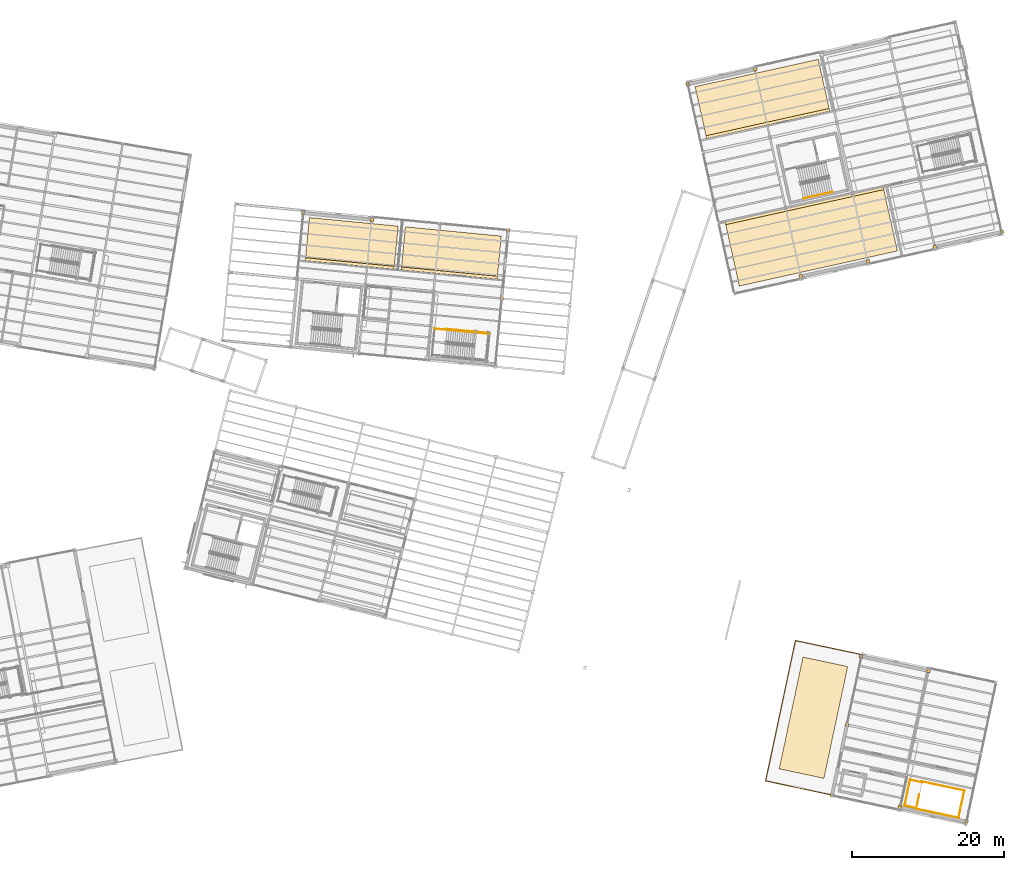
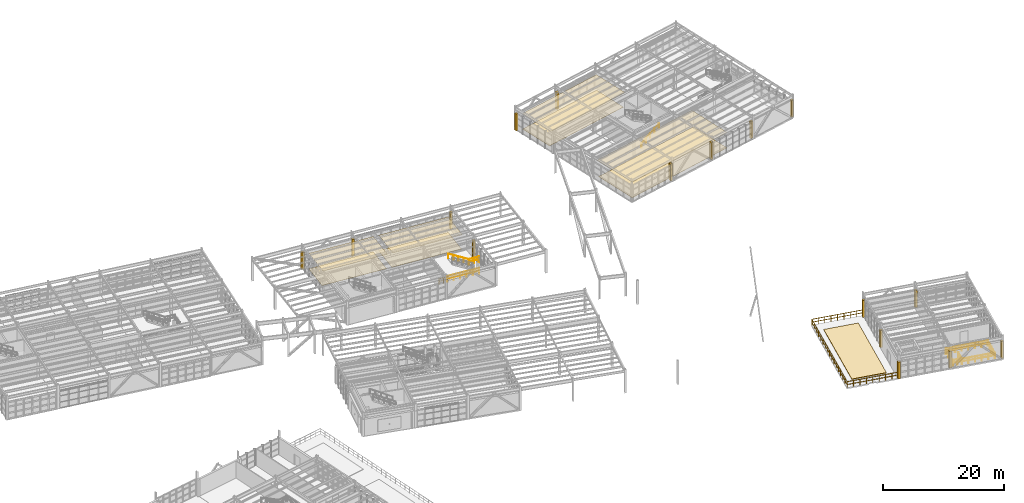
# One storey, part 108 of 109: 25 coverings, 13 railings.
"""IFC4 building model written with IfcOpenShell, lengths in metres."""

import ifcopenshell
import ifcopenshell.guid

model = None  # the IFC model being written
_history = None  # IfcOwnerHistory: only IFC2X3 demands one
_inside = {}  # id of a spatial element -> (the spatial element, [elements in it])
_under = {}  # id of a project, library or spatial element -> (it, [spatial elements below it])
_declared = {}  # id of a project -> (the project, [libraries it declares])
_typed = {}  # id of a type object -> (the type object, [elements of that type])
_made_of = {}  # id of a material, layer set ... -> (it, [elements and type objects made of it])


def new_model(schema):
    """Start an empty IFC model of exactly this schema.

    Asked for "IFC4X3", IfcOpenShell would pick the latest addendum, in which some entities
    have other attributes; the version numbers below select the first issue.
    IFC2X3 requires an IfcOwnerHistory on every rooted entity: one is made here for all.
    """
    global model, _history
    if schema == "IFC4X3":
        model = ifcopenshell.file(schema_version=(4, 3, 0, 0))
    else:
        model = ifcopenshell.file(schema=schema)
    _inside.clear()
    _under.clear()
    _declared.clear()
    _typed.clear()
    _made_of.clear()
    _history = None
    if model.schema == "IFC2X3":
        org = make("IfcOrganization", Name="unknown")
        user = make(
            "IfcPersonAndOrganization",
            ThePerson=make("IfcPerson", FamilyName="unknown"),
            TheOrganization=org,
        )
        app = make(
            "IfcApplication",
            ApplicationDeveloper=org,
            Version="unknown",
            ApplicationFullName="unknown",
            ApplicationIdentifier="unknown",
        )
        _history = make(
            "IfcOwnerHistory",
            OwningUser=user,
            OwningApplication=app,
            ChangeAction="ADDED",
            CreationDate=0,
        )
    return model


def make(cls, **values):
    """One entity of the class cls with the attributes given. An attribute that is None is left unset."""
    return model.create_entity(
        cls, **{name: value for name, value in values.items() if value is not None}
    )


def rooted(cls, **values):
    """An entity with a GlobalId (a new one), such as an element, a storey or a relation."""
    return make(cls, GlobalId=ifcopenshell.guid.new(), OwnerHistory=_history, **values)


def si_unit(unit_type, name, prefix=None):
    """IfcSIUnit, for example si_unit("LENGTHUNIT", "METRE", prefix="MILLI")."""
    return make("IfcSIUnit", UnitType=unit_type, Prefix=prefix, Name=name)


def assignment(units):
    """IfcUnitAssignment: the units of a project."""
    return None if units is None else make("IfcUnitAssignment", Units=units)


def point(xyz):
    """IfcCartesianPoint."""
    return None if xyz is None else make("IfcCartesianPoint", Coordinates=xyz)


def direction(xyz):
    """IfcDirection."""
    return None if xyz is None else make("IfcDirection", DirectionRatios=xyz)


def frame(location, z_axis=None, x_axis=None):
    """IfcAxis2Placement3D, a coordinate frame: its origin and axes. An axis left out is left unset."""
    return make(
        "IfcAxis2Placement3D",
        Location=point(location),
        Axis=direction(z_axis),
        RefDirection=direction(x_axis),
    )


def frame_2d(location, x_axis=None):
    """IfcAxis2Placement2D, a coordinate frame in the plane: its origin and x axis."""
    return make(
        "IfcAxis2Placement2D", Location=point(location), RefDirection=direction(x_axis)
    )


def origin():
    """The frame at (0, 0, 0) with its axes left unset."""
    return frame((0.0, 0.0, 0.0))


def origin_2d():
    """The frame at (0, 0) in the plane with its x axis left unset."""
    return frame_2d((0.0, 0.0))


def place(relative_to, where):
    """IfcLocalPlacement: puts the frame where relative to a parent placement (None: the world)."""
    return make(
        "IfcLocalPlacement", PlacementRelTo=relative_to, RelativePlacement=where
    )


def context(
    kind, dimensions, precision=None, world=None, true_north=None, identifier=None
):
    """IfcGeometricRepresentationContext, for example the 3D "Model" context."""
    return make(
        "IfcGeometricRepresentationContext",
        ContextIdentifier=identifier,
        ContextType=kind,
        CoordinateSpaceDimension=dimensions,
        Precision=precision,
        WorldCoordinateSystem=world,
        TrueNorth=true_north,
    )


def subcontext(parent, identifier, kind, view, scale=None):
    """IfcGeometricRepresentationSubContext, for example "Body" below "Model"."""
    return make(
        "IfcGeometricRepresentationSubContext",
        ContextIdentifier=identifier,
        ContextType=kind,
        ParentContext=parent,
        TargetScale=scale,
        TargetView=view,
    )


def project(units=None, contexts=None):
    """IfcProject with its units and contexts."""
    return rooted(
        "IfcProject",
        Name="project",
        RepresentationContexts=contexts,
        UnitsInContext=assignment(units),
    )


def spatial(cls, under=None, at=None, **own):
    """A site, building, storey or space (cls), placed at a placement, below another one or the project."""
    s = rooted(cls, ObjectPlacement=at, **own)
    if under is not None:
        _under.setdefault(under.id(), (under, []))[1].append(s)
    return s


def polyline(points):
    """IfcPolyline through the points."""
    return make("IfcPolyline", Points=[point(p) for p in points])


def profile(cls, at=None, kind="AREA", **sizes):
    """A parametric profile (cls). Its sizes go by their IFC names, for example OverallWidth=200.0."""
    return make(cls, ProfileType=kind, Position=at, **sizes)


def rectangle(**sizes):
    """IfcRectangleProfileDef."""
    return profile("IfcRectangleProfileDef", **sizes)


def circle(**sizes):
    """IfcCircleProfileDef."""
    return profile("IfcCircleProfileDef", **sizes)


def outline(outer, holes=None, kind="AREA"):
    """IfcArbitraryClosedProfileDef: a profile drawn as a closed curve; with holes, ...WithVoids."""
    if holes is None:
        return make("IfcArbitraryClosedProfileDef", ProfileType=kind, OuterCurve=outer)
    return make(
        "IfcArbitraryProfileDefWithVoids",
        ProfileType=kind,
        OuterCurve=outer,
        InnerCurves=holes,
    )


def extrude(swept, where, along, depth):
    """IfcExtrudedAreaSolid: the profile swept, set in the frame where, extruded along a direction by depth."""
    return make(
        "IfcExtrudedAreaSolid",
        SweptArea=swept,
        Position=where,
        ExtrudedDirection=direction(along),
        Depth=depth,
    )


def shape(context_of_items, identifier, shape_type, items):
    """IfcShapeRepresentation: the items that make up one representation, for example the "Body"."""
    return make(
        "IfcShapeRepresentation",
        ContextOfItems=context_of_items,
        RepresentationIdentifier=identifier,
        RepresentationType=shape_type,
        Items=items,
    )


def material(Name=None, Category=None):
    """IfcMaterial."""
    return make("IfcMaterial", Name=Name, Category=Category)


def layer(
    of_material, thickness, ventilated=None, Name=None, Category=None, Priority=None
):
    """IfcMaterialLayer: one layer of a wall or slab, of a material (None: an air gap)."""
    return make(
        "IfcMaterialLayer",
        Material=of_material,
        LayerThickness=thickness,
        IsVentilated=ventilated,
        Name=Name,
        Category=Category,
        Priority=Priority,
    )


def layer_set(layers, Name=None):
    """IfcMaterialLayerSet."""
    return make("IfcMaterialLayerSet", MaterialLayers=layers, LayerSetName=Name)


def made_of(thing, what):
    """Note that an element or type object is made of a material, layer set ...; save() writes the relation."""
    if what is not None:
        _made_of.setdefault(what.id(), (what, []))[1].append(thing)
    return thing


def type_object(cls, material=None, **own):
    """A type object (cls), such as IfcWallType, which elements share."""
    return made_of(rooted(cls, **own), material)


def element(
    cls,
    number,
    at=None,
    inside=None,
    cuts=None,
    type_object=None,
    material=None,
    context=None,
    identifier="Body",
    shape_type=None,
    held_by="IfcProductDefinitionShape",
    body=None,
    shapes=None,
    **own,
):
    """One element of the class cls, such as IfcWall. Its Tag is "e" and its number.

    at: its placement. inside: the storey or other place that contains it. cuts: it is an
    opening in that element (IfcRelVoidsElement). A single representation is given by context,
    identifier, shape_type and body (its items); several are given by shapes. held_by: the class
    of the entity that holds the representations. save() writes the other relations.
    """
    e = rooted(cls, Tag="e%d" % number, ObjectPlacement=at, **own)
    if body is not None:
        shapes = [shape(context, identifier, shape_type, body)]
    if shapes is not None:
        e.Representation = make(held_by, Representations=shapes)
    if inside is not None:
        _inside.setdefault(inside.id(), (inside, []))[1].append(e)
    if cuts is not None:
        rooted(
            "IfcRelVoidsElement", RelatingBuildingElement=cuts, RelatedOpeningElement=e
        )
    if type_object is not None:
        _typed.setdefault(type_object.id(), (type_object, []))[1].append(e)
    return made_of(e, material)


def aggregate(whole, parts):
    """IfcRelAggregates: a whole, such as a stair, and the parts it consists of."""
    return rooted("IfcRelAggregates", RelatingObject=whole, RelatedObjects=parts)


def save(model, path):
    """Write the relations noted so far, then the file.

    IfcRelAggregates (storeys below a building ...), IfcRelContainedInSpatialStructure (elements
    in a storey), IfcRelDefinesByType, IfcRelAssociatesMaterial and IfcRelDeclares: one each for
    every whole, place, type object, material and project.
    """
    for whole, parts in _under.values():
        aggregate(whole, parts)
    for where, things in _inside.values():
        rooted(
            "IfcRelContainedInSpatialStructure",
            RelatedElements=things,
            RelatingStructure=where,
        )
    for kind, things in _typed.values():
        rooted("IfcRelDefinesByType", RelatedObjects=things, RelatingType=kind)
    for what, things in _made_of.values():
        rooted("IfcRelAssociatesMaterial", RelatedObjects=things, RelatingMaterial=what)
    for by, libraries in _declared.values():
        rooted("IfcRelDeclares", RelatingContext=by, RelatedDefinitions=libraries)
    model.write(path)


model = new_model("IFC4")

# Units and contexts
model_context = context("Model", 3, precision=1e-05, world=origin(), true_north=direction((0.0, 1.0)))
body_context = subcontext(model_context, "Body", "Model", "MODEL_VIEW")
ifc_project = project(units=[si_unit("LENGTHUNIT", "METRE"), si_unit("AREAUNIT", "SQUARE_METRE"), si_unit("VOLUMEUNIT", "CUBIC_METRE"), si_unit("PLANEANGLEUNIT", "RADIAN"), si_unit("MASSUNIT", "GRAM", prefix="KILO")], contexts=[model_context])

# Site, building, storey
site_placement = place(None, origin())
site = spatial("IfcSite", under=ifc_project, at=site_placement, CompositionType="ELEMENT")
building_placement = place(site_placement, origin())
building = spatial("IfcBuilding", under=site, at=building_placement, Name="Vireo Bluff Cable Station", CompositionType="ELEMENT")
storey_placement = place(building_placement, frame((0.0, 0.0, 4.800048828125)))
storey = spatial("IfcBuildingStorey", under=building, at=storey_placement, Name="L01", CompositionType="ELEMENT", Elevation=4.800048828125)

# Coverings
ifc_material_1 = material(Name="Perforated Acoustic Metal Ceiling")
ifc_layer_1 = layer(ifc_material_1, 0.02490234375, Name="Perforated Acoustic Metal Ceiling")
ifc_layer_set_1 = layer_set([ifc_layer_1], Name="Perforated Acoustic Metal Ceiling")
covering_type_1 = type_object("IfcCoveringType", Name="CEILING-ACOUSTIC-25", PredefinedType="CEILING", material=ifc_layer_set_1)
covering_1_placement = place(storey_placement, frame((0.0, 0.0, 3.119873046875)))
element("IfcCovering", 1, at=covering_1_placement, inside=storey, type_object=covering_type_1, Name="V2 L01 Emergency Power Plant acoustic ceiling", PredefinedType="CEILING", context=body_context, shape_type="SweptSolid", body=[
    extrude(outline(polyline([(126.64599609375, 75.013916015625), (147.39208984375, 79.61328125), (145.528564453125, 88.01904296875), (124.7822265625, 83.419677734375), (126.64599609375, 75.013916015625)])), origin(), (0.0, 0.0, 1.0), 0.025146484375),
])
covering_2_placement = place(storey_placement, frame((0.0, 0.0, 3.119873046875)))
element("IfcCovering", 2, at=covering_2_placement, inside=storey, type_object=covering_type_1, Name="V3 L01 Operations Archive Room acoustic ceiling", PredefinedType="CEILING", context=body_context, shape_type="SweptSolid", body=[
    extrude(outline(polyline([(82.2744140625, 77.1171875), (94.8662109375, 75.90478515625), (95.411376953125, 81.568603515625), (82.819580078125, 82.781005859375), (82.2744140625, 77.1171875)])), origin(), (0.0, 0.0, 1.0), 0.025146484375),
])
ifc_layer_2 = layer(ifc_material_1, 0.034912109375, Name="Perforated Acoustic Metal Ceiling")
ifc_layer_set_2 = layer_set([ifc_layer_2], Name="Perforated Acoustic Metal Ceiling")
covering_type_2 = type_object("IfcCoveringType", Name="CEILING-ACOUSTIC-35", PredefinedType="CEILING", material=ifc_layer_set_2)
covering_3_placement = place(storey_placement, frame((0.0, 0.0, 3.119873046875)))
element("IfcCovering", 3, at=covering_3_placement, inside=storey, type_object=covering_type_2, Name="V2 L01 Heat-Recovery Chiller Plant acoustic ceiling", PredefinedType="CEILING", context=body_context, shape_type="SweptSolid", body=[
    extrude(outline(polyline([(122.353759765625, 94.373779296875), (138.511474609375, 97.955810546875), (137.0029296875, 104.7607421875), (120.84521484375, 101.178466796875), (122.353759765625, 94.373779296875)])), origin(), (0.0, 0.0, 1.0), 0.03515625),
])
covering_4_placement = place(storey_placement, frame((0.0, 0.0, 3.119873046875)))
element("IfcCovering", 4, at=covering_4_placement, inside=storey, type_object=covering_type_2, Name="V3 L01 Staff Dining and Briefing Room acoustic ceiling", PredefinedType="CEILING", context=body_context, shape_type="SweptSolid", body=[
    extrude(outline(polyline([(69.68359375, 78.339599609375), (81.32958984375, 77.21826171875), (81.8740234375, 82.8720703125), (70.22802734375, 83.993408203125), (69.68359375, 78.339599609375)])), origin(), (0.0, 0.0, 1.0), 0.03515625),
])
ifc_material_2 = material(Name="Precast concrete f'c 45 MPa", Category="concrete")
ifc_layer_3 = layer(ifc_material_2, 0.0400390625, Name="Precast concrete f'c 45 MPa")
ifc_layer_set_3 = layer_set([ifc_layer_3], Name="Precast concrete f'c 45 MPa")
covering_type_3 = type_object("IfcCoveringType", Name="COL-CLOSURE-WRAP", PredefinedType="CLADDING", material=ifc_layer_set_3)
for number, where, z_axis, x_axis, name in (
    (5, (161.122314453125, 82.134765625, 0.0), (0.0, 0.0, 1.0), (0.97629600712, 0.216439613938, 0.0), "V2 L01 column pocket closure"),
    (6, (152.293212890625, 80.17724609375, 0.0), (0.0, 0.0, 1.0), (0.97629600712, 0.216439613938, 0.0), "V2 L01 column pocket closure"),
    (7, (143.548095703125, 78.238525390625, 0.0), (0.0, 0.0, 1.0), (0.97629600712, 0.216439613938, 0.0), "V2 L01 column pocket closure"),
    (8, (134.719970703125, 76.281494140625, 0.0), (0.0, 0.0, 1.0), (0.97629600712, 0.216439613938, 0.0), "V2 L01 column pocket closure"),
    (9, (119.855712890625, 101.4814453125, 0.0), (0.0, 0.0, 1.0), (0.97629600712, 0.216439613938, 0.0), "V2 L01 column pocket closure"),
    (10, (128.739990234375, 103.451171875, 0.0), (0.0, 0.0, 1.0), (0.97629600712, 0.216439613938, 0.0), "V2 L01 column pocket closure"),
    (11, (69.3798828125, 84.58740234375, 0.0), (0.0, 0.0, 1.0), (0.995396198367, -0.09584575252, 0.0), "V3 L01 column pocket closure"),
    (12, (78.4384765625, 83.71533203125, 0.0), (0.0, 0.0, 1.0), (0.995396198367, -0.09584575252, 0.0), "V3 L01 column pocket closure"),
    (13, (96.338623046875, 82.32958984375, 0.0), (0.0, 0.0, 1.0), (0.995396198367, -0.09584575252, 0.0), "V3 L01 column pocket closure"),
    (14, (95.4765625, 73.376708984375, 0.0), (0.0, 0.0, 1.0), (0.995396198367, -0.09584575252, 0.0), "V3 L01 column pocket closure"),
    (15, (156.473876953125, 4.720458984375, 0.0), (0.0, 0.0, 1.0), (0.978147600734, -0.207911690818, 0.0), "V5E L01 column pocket closure"),
    (16, (147.68408203125, 6.588623046875, 0.0), (0.0, 0.0, 1.0), (0.978147600734, -0.207911690818, 0.0), "V5E L01 column pocket closure"),
    (17, (138.8037109375, 8.130859375, 0.0), (0.0, 0.0, 1.0), (0.978147600734, -0.207911690818, 0.0), "V5E L01 column pocket closure"),
    (18, (140.778076171875, 17.419189453125, 0.0), (0.0, 0.0, 1.0), (0.978147600734, -0.207911690818, 0.0), "V5E L01 column pocket closure"),
    (19, (142.633056640625, 26.3916015625, 0.0), (0.0, 0.0, 1.0), (0.978147600734, -0.207911690818, 0.0), "V5E L01 column pocket closure"),
    (20, (151.4794921875, 24.51123046875, 0.0), (0.0, 0.0, 1.0), (0.978147600734, -0.207911690818, 0.0), "V5E L01 column pocket closure"),
):
    element("IfcCovering", number, at=place(storey_placement, frame(where, z_axis=z_axis, x_axis=x_axis)), inside=storey, type_object=covering_type_3, Name=name, PredefinedType="CLADDING", context=body_context, shape_type="SweptSolid", body=[
        extrude(rectangle(XDim=0.43994140625, YDim=0.43994140625, at=origin_2d()), origin(), (0.0, 0.0, 1.0), 3.39990234375),
    ])

# Railing
ifc_material_3 = material(Name="Stainless Steel 316", Category="steel")
railing_type_1 = type_object("IfcRailingType", Name="EXTGUARD-1200", PredefinedType="GUARDRAIL", material=ifc_material_3)
railing_1_placement = place(storey_placement, frame((138.78076171875, 8.21533203125, 0.0)))
element("IfcRailing", 21, at=railing_1_placement, inside=storey, type_object=railing_type_1, Name="V5E L01 outdoor terrace guard 5", PredefinedType="GUARDRAIL", context=body_context, shape_type="SweptSolid", body=[
    extrude(circle(Radius=0.02392578125, at=origin_2d()), frame((0.0, 0.0, 1.17578125), z_axis=(-0.978148298501, 0.207908408052, 0.0), x_axis=(-0.207908408052, -0.978148298501, 0.0)), (0.0, 0.0, 1.0), 8.8798828125),
    extrude(circle(Radius=0.02392578125, at=origin_2d()), frame((0.0, 0.0, 0.60009765625), z_axis=(-0.978148298501, 0.207908408052, 0.0), x_axis=(-0.207908408052, -0.978148298501, 0.0)), (0.0, 0.0, 1.0), 8.8798828125),
    extrude(circle(Radius=0.02392578125, at=origin_2d()), frame((-8.685791015625, 1.84619140625, 1.17578125), z_axis=(0.207906645367, 0.978148673164, 0.0), x_axis=(-0.978148673164, 0.207906645367, 0.0)), (0.0, 0.0, 1.0), 18.840087890625),
    extrude(circle(Radius=0.02392578125, at=origin_2d()), frame((-8.685791015625, 1.84619140625, 0.60009765625), z_axis=(0.207906645367, 0.978148673164, 0.0), x_axis=(-0.978148673164, 0.207906645367, 0.0)), (0.0, 0.0, 1.0), 18.840087890625),
    extrude(circle(Radius=0.02392578125, at=origin_2d()), frame((-4.768798828125, 20.274658203125, 1.17578125), z_axis=(0.97814389558, -0.207929121431, 0.0), x_axis=(0.207929121431, 0.97814389558, 0.0)), (0.0, 0.0, 1.0), 8.880126953125),
    extrude(circle(Radius=0.02392578125, at=origin_2d()), frame((-4.768798828125, 20.274658203125, 0.60009765625), z_axis=(0.97814389558, -0.207929121431, 0.0), x_axis=(0.207929121431, 0.97814389558, 0.0)), (0.0, 0.0, 1.0), 8.880126953125),
    extrude(circle(Radius=0.02099609375, at=origin_2d()), origin(), (0.0, 0.0, 1.0), 1.15185546875),
    extrude(circle(Radius=0.02099609375, at=origin_2d()), frame((-1.085693359375, 0.230712890625, 0.0)), (0.0, 0.0, 1.0), 1.15185546875),
    extrude(circle(Radius=0.02099609375, at=origin_2d()), frame((-2.17138671875, 0.46142578125, 0.0)), (0.0, 0.0, 1.0), 1.15185546875),
    extrude(circle(Radius=0.02099609375, at=origin_2d()), frame((-3.257080078125, 0.6923828125, 0.0)), (0.0, 0.0, 1.0), 1.15185546875),
    extrude(circle(Radius=0.02099609375, at=origin_2d()), frame((-4.3427734375, 0.923095703125, 0.0)), (0.0, 0.0, 1.0), 1.15185546875),
    extrude(circle(Radius=0.02099609375, at=origin_2d()), frame((-5.4287109375, 1.15380859375, 0.0)), (0.0, 0.0, 1.0), 1.15185546875),
    extrude(circle(Radius=0.02099609375, at=origin_2d()), frame((-6.514404296875, 1.384765625, 0.0)), (0.0, 0.0, 1.0), 1.15185546875),
    extrude(circle(Radius=0.02099609375, at=origin_2d()), frame((-7.60009765625, 1.615478515625, 0.0)), (0.0, 0.0, 1.0), 1.15185546875),
    extrude(circle(Radius=0.02099609375, at=origin_2d()), frame((-8.685791015625, 1.84619140625, 0.0)), (0.0, 0.0, 1.0), 1.15185546875),
    extrude(circle(Radius=0.02099609375, at=origin_2d()), frame((-8.44091796875, 2.998046875, 0.0)), (0.0, 0.0, 1.0), 1.15185546875),
    extrude(circle(Radius=0.02099609375, at=origin_2d()), frame((-8.1962890625, 4.149658203125, 0.0)), (0.0, 0.0, 1.0), 1.15185546875),
    extrude(circle(Radius=0.02099609375, at=origin_2d()), frame((-7.951416015625, 5.301513671875, 0.0)), (0.0, 0.0, 1.0), 1.15185546875),
    extrude(circle(Radius=0.02099609375, at=origin_2d()), frame((-7.70654296875, 6.453369140625, 0.0)), (0.0, 0.0, 1.0), 1.15185546875),
    extrude(circle(Radius=0.02099609375, at=origin_2d()), frame((-7.461669921875, 7.60498046875, 0.0)), (0.0, 0.0, 1.0), 1.15185546875),
    extrude(circle(Radius=0.02099609375, at=origin_2d()), frame((-7.216796875, 8.7568359375, 0.0)), (0.0, 0.0, 1.0), 1.15185546875),
    extrude(circle(Radius=0.02099609375, at=origin_2d()), frame((-6.97216796875, 9.90869140625, 0.0)), (0.0, 0.0, 1.0), 1.15185546875),
    extrude(circle(Radius=0.02099609375, at=origin_2d()), frame((-6.727294921875, 11.060546875, 0.0)), (0.0, 0.0, 1.0), 1.15185546875),
    extrude(circle(Radius=0.02099609375, at=origin_2d()), frame((-6.482421875, 12.212158203125, 0.0)), (0.0, 0.0, 1.0), 1.15185546875),
    extrude(circle(Radius=0.02099609375, at=origin_2d()), frame((-6.23779296875, 13.364013671875, 0.0)), (0.0, 0.0, 1.0), 1.15185546875),
    extrude(circle(Radius=0.02099609375, at=origin_2d()), frame((-5.992919921875, 14.515869140625, 0.0)), (0.0, 0.0, 1.0), 1.15185546875),
    extrude(circle(Radius=0.02099609375, at=origin_2d()), frame((-5.748046875, 15.66748046875, 0.0)), (0.0, 0.0, 1.0), 1.15185546875),
    extrude(circle(Radius=0.02099609375, at=origin_2d()), frame((-5.503173828125, 16.8193359375, 0.0)), (0.0, 0.0, 1.0), 1.15185546875),
    extrude(circle(Radius=0.02099609375, at=origin_2d()), frame((-5.25830078125, 17.97119140625, 0.0)), (0.0, 0.0, 1.0), 1.15185546875),
    extrude(circle(Radius=0.02099609375, at=origin_2d()), frame((-5.013671875, 19.122802734375, 0.0)), (0.0, 0.0, 1.0), 1.15185546875),
    extrude(circle(Radius=0.02099609375, at=origin_2d()), frame((-4.768798828125, 20.274658203125, 0.0)), (0.0, 0.0, 1.0), 1.15185546875),
    extrude(circle(Radius=0.02099609375, at=origin_2d()), frame((-3.68310546875, 20.0439453125, 0.0)), (0.0, 0.0, 1.0), 1.15185546875),
    extrude(circle(Radius=0.02099609375, at=origin_2d()), frame((-2.59716796875, 19.81298828125, 0.0)), (0.0, 0.0, 1.0), 1.15185546875),
    extrude(circle(Radius=0.02099609375, at=origin_2d()), frame((-1.511474609375, 19.582275390625, 0.0)), (0.0, 0.0, 1.0), 1.15185546875),
    extrude(circle(Radius=0.02099609375, at=origin_2d()), frame((-0.42578125, 19.3515625, 0.0)), (0.0, 0.0, 1.0), 1.15185546875),
    extrude(circle(Radius=0.02099609375, at=origin_2d()), frame((0.659912109375, 19.12060546875, 0.0)), (0.0, 0.0, 1.0), 1.15185546875),
    extrude(circle(Radius=0.02099609375, at=origin_2d()), frame((1.74560546875, 18.889892578125, 0.0)), (0.0, 0.0, 1.0), 1.15185546875),
    extrude(circle(Radius=0.02099609375, at=origin_2d()), frame((2.83154296875, 18.658935546875, 0.0)), (0.0, 0.0, 1.0), 1.15185546875),
    extrude(circle(Radius=0.02099609375, at=origin_2d()), frame((3.917236328125, 18.42822265625, 0.0)), (0.0, 0.0, 1.0), 1.15185546875),
])

# Coverings
ifc_material_4 = material(Name="Polished Terrazzo Flooring")
ifc_layer_4 = layer(ifc_material_4, 0.02001953125, Name="Polished Terrazzo Flooring")
ifc_layer_set_4 = layer_set([ifc_layer_4], Name="Polished Terrazzo Flooring")
covering_type_4 = type_object("IfcCoveringType", Name="FLOORING-TERRAZZO-20", PredefinedType="FLOORING", material=ifc_layer_set_4)
covering_5_placement = place(storey_placement, origin())
element("IfcCovering", 22, at=covering_5_placement, inside=storey, type_object=covering_type_4, Name="V2 L01 Emergency Power Plant terrazzo finish", PredefinedType="FLOORING", context=body_context, shape_type="SweptSolid", body=[
    extrude(outline(polyline([(126.64599609375, 75.013916015625), (147.39208984375, 79.61328125), (145.6064453125, 87.667724609375), (124.8603515625, 83.068359375), (126.64599609375, 75.013916015625)])), origin(), (0.0, 0.0, 1.0), 0.02001953125),
])
covering_6_placement = place(storey_placement, origin())
element("IfcCovering", 23, at=covering_6_placement, inside=storey, type_object=covering_type_4, Name="V3 L01 Operations Archive Room terrazzo finish", PredefinedType="FLOORING", context=body_context, shape_type="SweptSolid", body=[
    extrude(outline(polyline([(82.311767578125, 77.50537109375), (94.903564453125, 76.29296875), (95.411376953125, 81.568603515625), (82.819580078125, 82.781005859375), (82.311767578125, 77.50537109375)])), origin(), (0.0, 0.0, 1.0), 0.02001953125),
])
ifc_layer_5 = layer(ifc_material_4, 0.030029296875, Name="Polished Terrazzo Flooring")
ifc_layer_set_5 = layer_set([ifc_layer_5], Name="Polished Terrazzo Flooring")
covering_type_5 = type_object("IfcCoveringType", Name="FLOORING-TERRAZZO-30", PredefinedType="FLOORING", material=ifc_layer_set_5)
covering_7_placement = place(storey_placement, origin())
element("IfcCovering", 24, at=covering_7_placement, inside=storey, type_object=covering_type_5, Name="V2 L01 Heat-Recovery Chiller Plant terrazzo finish", PredefinedType="FLOORING", context=body_context, shape_type="SweptSolid", body=[
    extrude(outline(polyline([(122.273681640625, 94.735107421875), (138.431396484375, 98.317138671875), (137.0029296875, 104.7607421875), (120.84521484375, 101.178466796875), (122.273681640625, 94.735107421875)])), origin(), (0.0, 0.0, 1.0), 0.030029296875),
])
covering_8_placement = place(storey_placement, origin())
element("IfcCovering", 25, at=covering_8_placement, inside=storey, type_object=covering_type_5, Name="V3 L01 Staff Dining and Briefing Room terrazzo finish", PredefinedType="FLOORING", context=body_context, shape_type="SweptSolid", body=[
    extrude(outline(polyline([(69.719970703125, 78.7177734375), (81.365966796875, 77.596435546875), (81.8740234375, 82.8720703125), (70.22802734375, 83.993408203125), (69.719970703125, 78.7177734375)])), origin(), (0.0, 0.0, 1.0), 0.030029296875),
])
ifc_material_5 = material(Name="Vegetated Green Roof Assembly")
ifc_layer_6 = layer(ifc_material_5, 0.1201171875, Name="Vegetated Green Roof Assembly")
ifc_layer_set_6 = layer_set([ifc_layer_6], Name="Vegetated Green Roof Assembly")
covering_type_6 = type_object("IfcCoveringType", Name="ROOFING-GREEN-120", PredefinedType="ROOFING", material=ifc_layer_set_6)
covering_9_placement = place(storey_placement, origin())
element("IfcCovering", 26, at=covering_9_placement, inside=storey, type_object=covering_type_6, Name="V5E L01 vegetated green roof bed 4", PredefinedType="ROOFING", context=body_context, shape_type="SweptSolid", body=[
    extrude(outline(polyline([(131.883056640625, 11.64453125), (137.751953125, 10.39697265625), (140.87060546875, 25.069091796875), (135.001708984375, 26.316650390625), (131.883056640625, 11.64453125)])), origin(), (0.0, 0.0, 1.0), 0.119873046875),
])

# Railings
railing_type_2 = type_object("IfcRailingType", Name="STAIR-GUARD-1100", PredefinedType="GUARDRAIL", material=ifc_material_3)
railing_2_placement = place(storey_placement, frame((149.874267578125, 6.440185546875, 0.0)))
element("IfcRailing", 27, at=railing_2_placement, inside=storey, type_object=railing_type_2, Name="L01 ST-06 top well guard 1", PredefinedType="GUARDRAIL", context=body_context, shape_type="SweptSolid", body=[
    extrude(circle(Radius=0.02392578125, at=origin_2d()), frame((0.0, 0.0, 1.076171875), z_axis=(0.207914670064, 0.978146967471, 0.0), x_axis=(-0.978146967471, 0.207914670064, 0.0)), (0.0, 0.0, 1.0), 1.8798828125),
    extrude(circle(Radius=0.02392578125, at=origin_2d()), frame((0.0, 0.0, 0.550048828125), z_axis=(0.207914670064, 0.978146967471, 0.0), x_axis=(-0.978146967471, 0.207914670064, 0.0)), (0.0, 0.0, 1.0), 1.8798828125),
    extrude(circle(Radius=0.02099609375, at=origin_2d()), origin(), (0.0, 0.0, 1.0), 1.052001953125),
    extrude(circle(Radius=0.02099609375, at=origin_2d()), frame((0.1953125, 0.91943359375, 0.0)), (0.0, 0.0, 1.0), 1.052001953125),
    extrude(circle(Radius=0.02099609375, at=origin_2d()), frame((0.390869140625, 1.8388671875, 0.0)), (0.0, 0.0, 1.0), 1.052001953125),
])
for number, where, name in (
    (28, (149.81494140625, 6.401611328125, 0.0), "L01 ST-06 top well guard 2"),
    (29, (150.575927734375, 9.981689453125, 0.0), "L01 ST-06 top well guard 3"),
):
    element("IfcRailing", number, at=place(storey_placement, frame(where)), inside=storey, type_object=railing_type_2, Name=name, PredefinedType="GUARDRAIL", context=body_context, shape_type="SweptSolid", body=[
        extrude(circle(Radius=0.02392578125, at=origin_2d()), frame((0.0, 0.0, 1.076171875), z_axis=(0.978144761277, -0.207925048965, 0.0), x_axis=(0.207925048965, 0.978144761277, 0.0)), (0.0, 0.0, 1.0), 5.77001953125),
        extrude(circle(Radius=0.02392578125, at=origin_2d()), frame((0.0, 0.0, 0.550048828125), z_axis=(0.978144761277, -0.207925048965, 0.0), x_axis=(0.207925048965, 0.978144761277, 0.0)), (0.0, 0.0, 1.0), 5.77001953125),
        extrude(circle(Radius=0.02099609375, at=origin_2d()), origin(), (0.0, 0.0, 1.0), 1.052001953125),
        extrude(circle(Radius=0.02099609375, at=origin_2d()), frame((1.128662109375, -0.239990234375, 0.0)), (0.0, 0.0, 1.0), 1.052001953125),
        extrude(circle(Radius=0.02099609375, at=origin_2d()), frame((2.257568359375, -0.47998046875, 0.0)), (0.0, 0.0, 1.0), 1.052001953125),
        extrude(circle(Radius=0.02099609375, at=origin_2d()), frame((3.38623046875, -0.7197265625, 0.0)), (0.0, 0.0, 1.0), 1.052001953125),
        extrude(circle(Radius=0.02099609375, at=origin_2d()), frame((4.51513671875, -0.959716796875, 0.0)), (0.0, 0.0, 1.0), 1.052001953125),
        extrude(circle(Radius=0.02099609375, at=origin_2d()), frame((5.643798828125, -1.19970703125, 0.0)), (0.0, 0.0, 1.0), 1.052001953125),
    ])
railing_3_placement = place(storey_placement, frame((155.3994140625, 5.16357421875, 0.0)))
element("IfcRailing", 30, at=railing_3_placement, inside=storey, type_object=railing_type_2, Name="L01 ST-06 top well guard 4", PredefinedType="GUARDRAIL", context=body_context, shape_type="SweptSolid", body=[
    extrude(circle(Radius=0.02392578125, at=origin_2d()), frame((0.0, 0.0, 1.076171875), z_axis=(0.207914670064, 0.978146967471, 0.0), x_axis=(-0.978146967471, 0.207914670064, 0.0)), (0.0, 0.0, 1.0), 3.760009765625),
    extrude(circle(Radius=0.02392578125, at=origin_2d()), frame((0.0, 0.0, 0.550048828125), z_axis=(0.207914670064, 0.978146967471, 0.0), x_axis=(-0.978146967471, 0.207914670064, 0.0)), (0.0, 0.0, 1.0), 3.760009765625),
    extrude(circle(Radius=0.02099609375, at=origin_2d()), origin(), (0.0, 0.0, 1.0), 1.052001953125),
    extrude(circle(Radius=0.02099609375, at=origin_2d()), frame((0.1953125, 0.91943359375, 0.0)), (0.0, 0.0, 1.0), 1.052001953125),
    extrude(circle(Radius=0.02099609375, at=origin_2d()), frame((0.390869140625, 1.8388671875, 0.0)), (0.0, 0.0, 1.0), 1.052001953125),
    extrude(circle(Radius=0.02099609375, at=origin_2d()), frame((0.58642578125, 2.75830078125, 0.0)), (0.0, 0.0, 1.0), 1.052001953125),
    extrude(circle(Radius=0.02099609375, at=origin_2d()), frame((0.78173828125, 3.677734375, 0.0)), (0.0, 0.0, 1.0), 1.052001953125),
])
railing_4_placement = place(storey_placement, frame((148.290283203125, 6.827880859375, 0.0)))
element("IfcRailing", 31, at=railing_4_placement, inside=storey, type_object=railing_type_2, Name="L01 ST-06 top well guard 5", PredefinedType="GUARDRAIL", context=body_context, shape_type="SweptSolid", body=[
    extrude(circle(Radius=0.02392578125, at=origin_2d()), frame((0.0, 0.0, 1.076171875), z_axis=(0.978162544651, -0.207841372786, 0.0), x_axis=(0.207841372786, 0.978162544651, 0.0)), (0.0, 0.0, 1.0), 1.6796875),
    extrude(circle(Radius=0.02392578125, at=origin_2d()), frame((0.0, 0.0, 0.550048828125), z_axis=(0.978162544651, -0.207841372786, 0.0), x_axis=(0.207841372786, 0.978162544651, 0.0)), (0.0, 0.0, 1.0), 1.6796875),
    extrude(circle(Radius=0.02099609375, at=origin_2d()), origin(), (0.0, 0.0, 1.0), 1.052001953125),
    extrude(circle(Radius=0.02099609375, at=origin_2d()), frame((0.821533203125, -0.174560546875, 0.0)), (0.0, 0.0, 1.0), 1.052001953125),
    extrude(circle(Radius=0.02099609375, at=origin_2d()), frame((1.64306640625, -0.34912109375, 0.0)), (0.0, 0.0, 1.0), 1.052001953125),
])
railing_5_placement = place(storey_placement, frame((149.009521484375, 10.21240234375, 0.0)))
element("IfcRailing", 32, at=railing_5_placement, inside=storey, type_object=railing_type_2, Name="L01 ST-06 top well guard 6", PredefinedType="GUARDRAIL", context=body_context, shape_type="SweptSolid", body=[
    extrude(circle(Radius=0.02392578125, at=origin_2d()), frame((0.0, 0.0, 1.076171875), z_axis=(0.97813927235, -0.207950868925, 0.0), x_axis=(0.207950868925, 0.97813927235, 0.0)), (0.0, 0.0, 1.0), 1.679931640625),
    extrude(circle(Radius=0.02392578125, at=origin_2d()), frame((0.0, 0.0, 0.550048828125), z_axis=(0.97813927235, -0.207950868925, 0.0), x_axis=(0.207950868925, 0.97813927235, 0.0)), (0.0, 0.0, 1.0), 1.679931640625),
    extrude(circle(Radius=0.02099609375, at=origin_2d()), origin(), (0.0, 0.0, 1.0), 1.052001953125),
    extrude(circle(Radius=0.02099609375, at=origin_2d()), frame((0.82177734375, -0.1748046875, 0.0)), (0.0, 0.0, 1.0), 1.052001953125),
    extrude(circle(Radius=0.02099609375, at=origin_2d()), frame((1.643310546875, -0.349365234375, 0.0)), (0.0, 0.0, 1.0), 1.052001953125),
])
railing_6_placement = place(storey_placement, frame((148.32861328125, 6.7685546875, 0.0)))
element("IfcRailing", 33, at=railing_6_placement, inside=storey, type_object=railing_type_2, Name="L01 ST-06 top well guard 7", PredefinedType="GUARDRAIL", context=body_context, shape_type="SweptSolid", body=[
    extrude(circle(Radius=0.02392578125, at=origin_2d()), frame((0.0, 0.0, 1.076171875), z_axis=(0.20793175315, 0.978143336139, 0.0), x_axis=(-0.978143336139, 0.20793175315, 0.0)), (0.0, 0.0, 1.0), 3.56005859375),
    extrude(circle(Radius=0.02392578125, at=origin_2d()), frame((0.0, 0.0, 0.550048828125), z_axis=(0.20793175315, 0.978143336139, 0.0), x_axis=(-0.978143336139, 0.20793175315, 0.0)), (0.0, 0.0, 1.0), 3.56005859375),
    extrude(circle(Radius=0.02099609375, at=origin_2d()), origin(), (0.0, 0.0, 1.0), 1.052001953125),
    extrude(circle(Radius=0.02099609375, at=origin_2d()), frame((0.246826171875, 1.16064453125, 0.0)), (0.0, 0.0, 1.0), 1.052001953125),
    extrude(circle(Radius=0.02099609375, at=origin_2d()), frame((0.493408203125, 2.321533203125, 0.0)), (0.0, 0.0, 1.0), 1.052001953125),
    extrude(circle(Radius=0.02099609375, at=origin_2d()), frame((0.740234375, 3.482177734375, 0.0)), (0.0, 0.0, 1.0), 1.052001953125),
])
railing_7_placement = place(storey_placement, frame((92.031005859375, 68.894287109375, 2.39990234375)))
element("IfcRailing", 34, at=railing_7_placement, inside=storey, type_object=railing_type_2, Name="L01 ST-11 stair guard 4", PredefinedType="GUARDRAIL", context=body_context, shape_type="SweptSolid", body=[
    extrude(circle(Radius=0.02392578125, at=origin_2d()), frame((0.0, 0.0, 1.076171875), z_axis=(0.995391866735, -0.09589072759, 0.0), x_axis=(0.09589072759, 0.995391866735, 0.0)), (0.0, 0.0, 1.0), 1.800048828125),
    extrude(circle(Radius=0.02392578125, at=origin_2d()), frame((0.0, 0.0, 0.550048828125), z_axis=(0.995391866735, -0.09589072759, 0.0), x_axis=(0.09589072759, 0.995391866735, 0.0)), (0.0, 0.0, 1.0), 1.800048828125),
    extrude(circle(Radius=0.02099609375, at=origin_2d()), origin(), (0.0, 0.0, 1.0), 1.052001953125),
    extrude(circle(Radius=0.02099609375, at=origin_2d()), frame((0.89599609375, -0.08642578125, 0.0)), (0.0, 0.0, 1.0), 1.052001953125),
    extrude(circle(Radius=0.02099609375, at=origin_2d()), frame((1.791748046875, -0.172607421875, 0.0)), (0.0, 0.0, 1.0), 1.052001953125),
])
railing_8_placement = place(storey_placement, frame((86.606201171875, 69.41650390625, 0.0)))
element("IfcRailing", 35, at=railing_8_placement, inside=storey, type_object=railing_type_2, Name="L01 ST-11 stair guard 9", PredefinedType="GUARDRAIL", context=body_context, shape_type="SweptSolid", body=[
    extrude(circle(Radius=0.02392578125, at=origin_2d()), frame((0.0, 0.0, 1.076171875), z_axis=(0.99540423551, -0.095762246891, 0.0), x_axis=(0.095762246891, 0.99540423551, 0.0)), (0.0, 0.0, 1.0), 1.68017578125),
    extrude(circle(Radius=0.02392578125, at=origin_2d()), frame((0.0, 0.0, 0.550048828125), z_axis=(0.99540423551, -0.095762246891, 0.0), x_axis=(0.095762246891, 0.99540423551, 0.0)), (0.0, 0.0, 1.0), 1.68017578125),
    extrude(circle(Radius=0.02099609375, at=origin_2d()), origin(), (0.0, 0.0, 1.0), 1.052001953125),
    extrude(circle(Radius=0.02099609375, at=origin_2d()), frame((0.836181640625, -0.08056640625, 0.0)), (0.0, 0.0, 1.0), 1.052001953125),
    extrude(circle(Radius=0.02099609375, at=origin_2d()), frame((1.67236328125, -0.160888671875, 0.0)), (0.0, 0.0, 1.0), 1.052001953125),
])
railing_9_placement = place(storey_placement, frame((88.1884765625, 69.36474609375, 0.0)))
element("IfcRailing", 36, at=railing_9_placement, inside=storey, type_object=railing_type_2, Name="L01 ST-11 stair guard 12", PredefinedType="GUARDRAIL", context=body_context, shape_type="SweptSolid", body=[
    extrude(circle(Radius=0.02392578125, at=origin_2d()), frame((0.0, 0.0, 1.076171875), z_axis=(0.995392967818, -0.095879297134, 0.0), x_axis=(0.095879297134, 0.995392967818, 0.0)), (0.0, 0.0, 1.0), 5.77001953125),
    extrude(circle(Radius=0.02392578125, at=origin_2d()), frame((0.0, 0.0, 0.550048828125), z_axis=(0.995392967818, -0.095879297134, 0.0), x_axis=(0.095879297134, 0.995392967818, 0.0)), (0.0, 0.0, 1.0), 5.77001953125),
    extrude(circle(Radius=0.02099609375, at=origin_2d()), origin(), (0.0, 0.0, 1.0), 1.052001953125),
    extrude(circle(Radius=0.02099609375, at=origin_2d()), frame((1.148681640625, -0.110595703125, 0.0)), (0.0, 0.0, 1.0), 1.052001953125),
    extrude(circle(Radius=0.02099609375, at=origin_2d()), frame((2.29736328125, -0.22119140625, 0.0)), (0.0, 0.0, 1.0), 1.052001953125),
    extrude(circle(Radius=0.02099609375, at=origin_2d()), frame((3.446044921875, -0.33203125, 0.0)), (0.0, 0.0, 1.0), 1.052001953125),
    extrude(circle(Radius=0.02099609375, at=origin_2d()), frame((4.5947265625, -0.442626953125, 0.0)), (0.0, 0.0, 1.0), 1.052001953125),
    extrude(circle(Radius=0.02099609375, at=origin_2d()), frame((5.743408203125, -0.55322265625, 0.0)), (0.0, 0.0, 1.0), 1.052001953125),
])
railing_type_3 = type_object("IfcRailingType", Name="STAIR-HANDRAIL-900", PredefinedType="HANDRAIL", material=ifc_material_3)
railing_10_placement = place(storey_placement, frame((135.0576171875, 86.5068359375, 0.17138671875)))
element("IfcRailing", 37, at=railing_10_placement, inside=storey, type_object=railing_type_3, Name="L01 ST-04 stair handrail 1", PredefinedType="HANDRAIL", context=body_context, shape_type="SweptSolid", body=[
    extrude(circle(Radius=0.02392578125, at=origin_2d()), frame((0.0, 0.0, 0.8759765625), z_axis=(0.847667079932, 0.187947727777, 0.496121127572), x_axis=(-0.216466466135, 0.976290053744, 0.0)), (0.0, 0.0, 1.0), 4.491943359375),
    extrude(circle(Radius=0.02099609375, at=origin_2d()), origin(), (0.0, 0.0, 1.0), 0.851806640625),
    extrude(circle(Radius=0.02099609375, at=origin_2d()), frame((0.951904296875, 0.2109375, 0.55712890625)), (0.0, 0.0, 1.0), 0.851806640625),
    extrude(circle(Radius=0.02099609375, at=origin_2d()), frame((1.90380859375, 0.422119140625, 1.1142578125)), (0.0, 0.0, 1.0), 0.851806640625),
    extrude(circle(Radius=0.02099609375, at=origin_2d()), frame((2.855712890625, 0.63330078125, 1.67138671875)), (0.0, 0.0, 1.0), 0.851806640625),
    extrude(circle(Radius=0.02099609375, at=origin_2d()), frame((3.8076171875, 0.84423828125, 2.228515625)), (0.0, 0.0, 1.0), 0.851806640625),
])
railing_11_placement = place(storey_placement, frame((92.031005859375, 68.894287109375, 2.5712890625)))
element("IfcRailing", 38, at=railing_11_placement, inside=storey, type_object=railing_type_3, Name="L01 ST-11 stair handrail 2", PredefinedType="HANDRAIL", context=body_context, shape_type="SweptSolid", body=[
    extrude(circle(Radius=0.02392578125, at=origin_2d()), frame((0.0, 0.0, 0.8759765625), z_axis=(-0.856848087052, 0.082507167784, 0.508924280202), x_axis=(-0.095848147835, -0.995395967722, 0.0)), (0.0, 0.0, 1.0), 4.37939453125),
    extrude(circle(Radius=0.02099609375, at=origin_2d()), origin(), (0.0, 0.0, 1.0), 0.851806640625),
    extrude(circle(Radius=0.02099609375, at=origin_2d()), frame((-0.93798828125, 0.09033203125, 0.55712890625)), (0.0, 0.0, 1.0), 0.851806640625),
    extrude(circle(Radius=0.02099609375, at=origin_2d()), frame((-1.876220703125, 0.1806640625, 1.1142578125)), (0.0, 0.0, 1.0), 0.851806640625),
    extrude(circle(Radius=0.02099609375, at=origin_2d()), frame((-2.814453125, 0.27099609375, 1.671630859375)), (0.0, 0.0, 1.0), 0.851806640625),
    extrude(circle(Radius=0.02099609375, at=origin_2d()), frame((-3.75244140625, 0.361328125, 2.228759765625)), (0.0, 0.0, 1.0), 0.851806640625),
])

save(model, "model.ifc")
